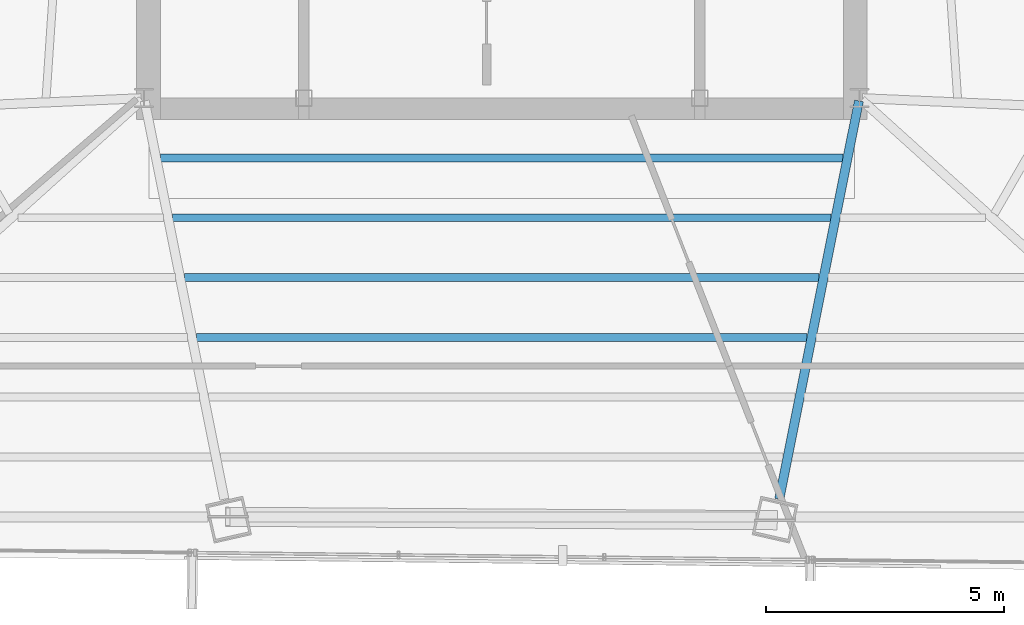
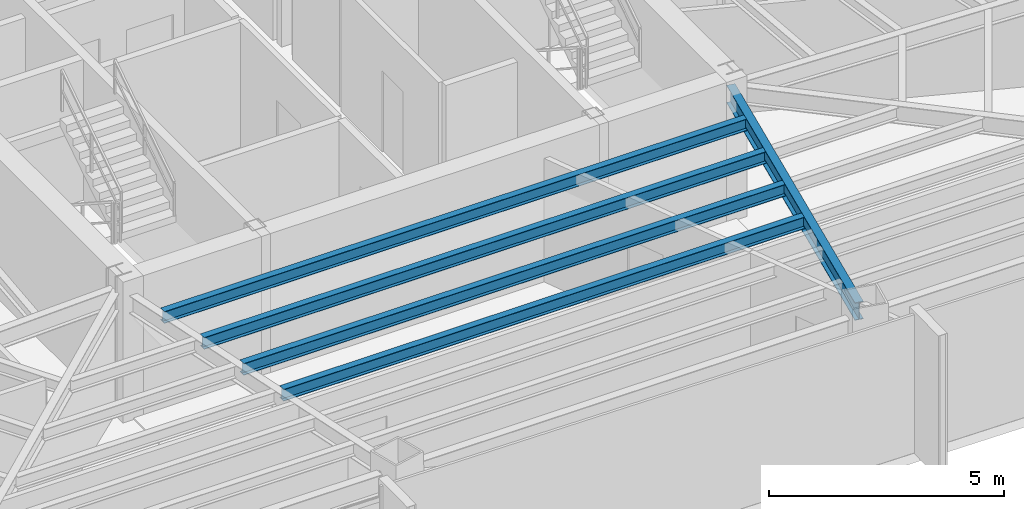
# One storey, part 11 of 40: 5 beams.
"""IFC4 building model written with IfcOpenShell, lengths in metres."""

import ifcopenshell
import ifcopenshell.guid

model = None  # the IFC model being written
_history = None  # IfcOwnerHistory: only IFC2X3 demands one
_inside = {}  # id of a spatial element -> (the spatial element, [elements in it])
_under = {}  # id of a project, library or spatial element -> (it, [spatial elements below it])
_declared = {}  # id of a project -> (the project, [libraries it declares])
_typed = {}  # id of a type object -> (the type object, [elements of that type])
_made_of = {}  # id of a material, layer set ... -> (it, [elements and type objects made of it])


def new_model(schema):
    """Start an empty IFC model of exactly this schema.

    Asked for "IFC4X3", IfcOpenShell would pick the latest addendum, in which some entities
    have other attributes; the version numbers below select the first issue.
    IFC2X3 requires an IfcOwnerHistory on every rooted entity: one is made here for all.
    """
    global model, _history
    if schema == "IFC4X3":
        model = ifcopenshell.file(schema_version=(4, 3, 0, 0))
    else:
        model = ifcopenshell.file(schema=schema)
    _inside.clear()
    _under.clear()
    _declared.clear()
    _typed.clear()
    _made_of.clear()
    _history = None
    if model.schema == "IFC2X3":
        org = make("IfcOrganization", Name="unknown")
        user = make(
            "IfcPersonAndOrganization",
            ThePerson=make("IfcPerson", FamilyName="unknown"),
            TheOrganization=org,
        )
        app = make(
            "IfcApplication",
            ApplicationDeveloper=org,
            Version="unknown",
            ApplicationFullName="unknown",
            ApplicationIdentifier="unknown",
        )
        _history = make(
            "IfcOwnerHistory",
            OwningUser=user,
            OwningApplication=app,
            ChangeAction="ADDED",
            CreationDate=0,
        )
    return model


def make(cls, **values):
    """One entity of the class cls with the attributes given. An attribute that is None is left unset."""
    return model.create_entity(
        cls, **{name: value for name, value in values.items() if value is not None}
    )


def rooted(cls, **values):
    """An entity with a GlobalId (a new one), such as an element, a storey or a relation."""
    return make(cls, GlobalId=ifcopenshell.guid.new(), OwnerHistory=_history, **values)


def si_unit(unit_type, name, prefix=None):
    """IfcSIUnit, for example si_unit("LENGTHUNIT", "METRE", prefix="MILLI")."""
    return make("IfcSIUnit", UnitType=unit_type, Prefix=prefix, Name=name)


def assignment(units):
    """IfcUnitAssignment: the units of a project."""
    return None if units is None else make("IfcUnitAssignment", Units=units)


def point(xyz):
    """IfcCartesianPoint."""
    return None if xyz is None else make("IfcCartesianPoint", Coordinates=xyz)


def direction(xyz):
    """IfcDirection."""
    return None if xyz is None else make("IfcDirection", DirectionRatios=xyz)


def frame(location, z_axis=None, x_axis=None):
    """IfcAxis2Placement3D, a coordinate frame: its origin and axes. An axis left out is left unset."""
    return make(
        "IfcAxis2Placement3D",
        Location=point(location),
        Axis=direction(z_axis),
        RefDirection=direction(x_axis),
    )


def frame_2d(location, x_axis=None):
    """IfcAxis2Placement2D, a coordinate frame in the plane: its origin and x axis."""
    return make(
        "IfcAxis2Placement2D", Location=point(location), RefDirection=direction(x_axis)
    )


def origin():
    """The frame at (0, 0, 0) with its axes left unset."""
    return frame((0.0, 0.0, 0.0))


def origin_2d():
    """The frame at (0, 0) in the plane with its x axis left unset."""
    return frame_2d((0.0, 0.0))


def place(relative_to, where):
    """IfcLocalPlacement: puts the frame where relative to a parent placement (None: the world)."""
    return make(
        "IfcLocalPlacement", PlacementRelTo=relative_to, RelativePlacement=where
    )


def context(
    kind, dimensions, precision=None, world=None, true_north=None, identifier=None
):
    """IfcGeometricRepresentationContext, for example the 3D "Model" context."""
    return make(
        "IfcGeometricRepresentationContext",
        ContextIdentifier=identifier,
        ContextType=kind,
        CoordinateSpaceDimension=dimensions,
        Precision=precision,
        WorldCoordinateSystem=world,
        TrueNorth=true_north,
    )


def subcontext(parent, identifier, kind, view, scale=None):
    """IfcGeometricRepresentationSubContext, for example "Body" below "Model"."""
    return make(
        "IfcGeometricRepresentationSubContext",
        ContextIdentifier=identifier,
        ContextType=kind,
        ParentContext=parent,
        TargetScale=scale,
        TargetView=view,
    )


def project(units=None, contexts=None):
    """IfcProject with its units and contexts."""
    return rooted(
        "IfcProject",
        Name="project",
        RepresentationContexts=contexts,
        UnitsInContext=assignment(units),
    )


def spatial(cls, under=None, at=None, **own):
    """A site, building, storey or space (cls), placed at a placement, below another one or the project."""
    s = rooted(cls, ObjectPlacement=at, **own)
    if under is not None:
        _under.setdefault(under.id(), (under, []))[1].append(s)
    return s


def profile(cls, at=None, kind="AREA", **sizes):
    """A parametric profile (cls). Its sizes go by their IFC names, for example OverallWidth=200.0."""
    return make(cls, ProfileType=kind, Position=at, **sizes)


def i_section(**sizes):
    """IfcIShapeProfileDef."""
    return profile("IfcIShapeProfileDef", **sizes)


def extrude(swept, where, along, depth):
    """IfcExtrudedAreaSolid: the profile swept, set in the frame where, extruded along a direction by depth."""
    return make(
        "IfcExtrudedAreaSolid",
        SweptArea=swept,
        Position=where,
        ExtrudedDirection=direction(along),
        Depth=depth,
    )


def shape(context_of_items, identifier, shape_type, items):
    """IfcShapeRepresentation: the items that make up one representation, for example the "Body"."""
    return make(
        "IfcShapeRepresentation",
        ContextOfItems=context_of_items,
        RepresentationIdentifier=identifier,
        RepresentationType=shape_type,
        Items=items,
    )


def source(mapping_origin, context_of_items, identifier, shape_type, items):
    """IfcRepresentationMap: a shape defined once, which mapped items show again and again."""
    return make(
        "IfcRepresentationMap",
        MappingOrigin=mapping_origin,
        MappedRepresentation=shape(context_of_items, identifier, shape_type, items),
    )


def transform(
    local_origin,
    x_axis=None,
    y_axis=None,
    z_axis=None,
    scale=None,
    scale2=None,
    scale3=None,
    uniform=True,
):
    """IfcCartesianTransformationOperator3D, or its non-uniform kind. x_axis, y_axis, z_axis: its Axis1, 2, 3."""
    if uniform:
        return make(
            "IfcCartesianTransformationOperator3D",
            Axis1=direction(x_axis),
            Axis2=direction(y_axis),
            LocalOrigin=point(local_origin),
            Scale=scale,
            Axis3=direction(z_axis),
        )
    return make(
        "IfcCartesianTransformationOperator3DnonUniform",
        Axis1=direction(x_axis),
        Axis2=direction(y_axis),
        LocalOrigin=point(local_origin),
        Scale=scale,
        Axis3=direction(z_axis),
        Scale2=scale2,
        Scale3=scale3,
    )


def mapped(mapping_source, mapping_target):
    """IfcMappedItem: shows the shape of a source again, moved by a transform."""
    return make(
        "IfcMappedItem", MappingSource=mapping_source, MappingTarget=mapping_target
    )


def material(Name=None, Category=None):
    """IfcMaterial."""
    return make("IfcMaterial", Name=Name, Category=Category)


def material_profile(
    of_material, cross_section, Name=None, Category=None, Priority=None
):
    """IfcMaterialProfile: a cross section and its material."""
    return make(
        "IfcMaterialProfile",
        Name=Name,
        Material=of_material,
        Profile=cross_section,
        Priority=Priority,
        Category=Category,
    )


def profile_set(profiles, Name=None, composite=None):
    """IfcMaterialProfileSet."""
    return make(
        "IfcMaterialProfileSet",
        Name=Name,
        MaterialProfiles=profiles,
        CompositeProfile=composite,
    )


def made_of(thing, what):
    """Note that an element or type object is made of a material, layer set ...; save() writes the relation."""
    if what is not None:
        _made_of.setdefault(what.id(), (what, []))[1].append(thing)
    return thing


def type_object(cls, material=None, **own):
    """A type object (cls), such as IfcWallType, which elements share."""
    return made_of(rooted(cls, **own), material)


def type_shapes(of_type, sources):
    """Give a type object the sources (RepresentationMaps) that its elements show as mapped items."""
    of_type.RepresentationMaps = sources


def element(
    cls,
    number,
    at=None,
    inside=None,
    cuts=None,
    type_object=None,
    material=None,
    context=None,
    identifier="Body",
    shape_type=None,
    held_by="IfcProductDefinitionShape",
    body=None,
    shapes=None,
    **own,
):
    """One element of the class cls, such as IfcWall. Its Tag is "e" and its number.

    at: its placement. inside: the storey or other place that contains it. cuts: it is an
    opening in that element (IfcRelVoidsElement). A single representation is given by context,
    identifier, shape_type and body (its items); several are given by shapes. held_by: the class
    of the entity that holds the representations. save() writes the other relations.
    """
    e = rooted(cls, Tag="e%d" % number, ObjectPlacement=at, **own)
    if body is not None:
        shapes = [shape(context, identifier, shape_type, body)]
    if shapes is not None:
        e.Representation = make(held_by, Representations=shapes)
    if inside is not None:
        _inside.setdefault(inside.id(), (inside, []))[1].append(e)
    if cuts is not None:
        rooted(
            "IfcRelVoidsElement", RelatingBuildingElement=cuts, RelatedOpeningElement=e
        )
    if type_object is not None:
        _typed.setdefault(type_object.id(), (type_object, []))[1].append(e)
    return made_of(e, material)


def aggregate(whole, parts):
    """IfcRelAggregates: a whole, such as a stair, and the parts it consists of."""
    return rooted("IfcRelAggregates", RelatingObject=whole, RelatedObjects=parts)


def save(model, path):
    """Write the relations noted so far, then the file.

    IfcRelAggregates (storeys below a building ...), IfcRelContainedInSpatialStructure (elements
    in a storey), IfcRelDefinesByType, IfcRelAssociatesMaterial and IfcRelDeclares: one each for
    every whole, place, type object, material and project.
    """
    for whole, parts in _under.values():
        aggregate(whole, parts)
    for where, things in _inside.values():
        rooted(
            "IfcRelContainedInSpatialStructure",
            RelatedElements=things,
            RelatingStructure=where,
        )
    for kind, things in _typed.values():
        rooted("IfcRelDefinesByType", RelatedObjects=things, RelatingType=kind)
    for what, things in _made_of.values():
        rooted("IfcRelAssociatesMaterial", RelatedObjects=things, RelatingMaterial=what)
    for by, libraries in _declared.values():
        rooted("IfcRelDeclares", RelatingContext=by, RelatedDefinitions=libraries)
    model.write(path)


model = new_model("IFC4")

# Units and contexts
model_context = context("Model", 3, precision=1e-05, world=origin(), true_north=direction((0.0, 1.0)))
body_context = subcontext(model_context, "Body", "Model", "MODEL_VIEW")
ifc_project = project(units=[si_unit("LENGTHUNIT", "METRE"), si_unit("AREAUNIT", "SQUARE_METRE"), si_unit("VOLUMEUNIT", "CUBIC_METRE"), si_unit("PLANEANGLEUNIT", "RADIAN"), si_unit("MASSUNIT", "GRAM", prefix="KILO")], contexts=[model_context])

# Site, building, storey
site_placement = place(None, origin())
site = spatial("IfcSite", under=ifc_project, at=site_placement, CompositionType="ELEMENT")
building_placement = place(site_placement, origin())
building = spatial("IfcBuilding", under=site, at=building_placement, Name="Caelisora Broadcast Tower", CompositionType="ELEMENT")
storey_placement = place(building_placement, frame((0.0, 0.0, 216.89990234375)))
storey = spatial("IfcBuildingStorey", under=building, at=storey_placement, Name="L57", CompositionType="ELEMENT", Elevation=216.89990234375)

# Beams
ifc_material = material(Name="Steel Grade 350 (AS/NZS 3679.1)", Category="steel")
ifc_material_profile_1 = material_profile(ifc_material, i_section(OverallWidth=0.19091796875, OverallDepth=0.46044921875, WebThickness=0.010009765625, FlangeThickness=0.01611328125, at=origin_2d()), Name="Steel Grade 350 (AS/NZS 3679.1)")
ifc_profile_set_1 = profile_set([ifc_material_profile_1], Name="Steel Grade 350 (AS/NZS 3679.1)")
beam_type_1 = type_object("IfcBeamType", Name="PG06", PredefinedType="BEAM", material=ifc_profile_set_1)
shared_shape_1 = source(origin(), body_context, "Body", "SweptSolid", [
    extrude(i_section(OverallWidth=0.19091796875, OverallDepth=0.46044921875, WebThickness=0.010009765625, FlangeThickness=0.01611328125, at=origin_2d()), origin(), (0.0, 0.0, 1.0), 8.516357421875),
])
type_shapes(beam_type_1, [shared_shape_1])
beam_1_placement = place(storey_placement, frame((45.48828125, 17.34130859375, 3.02001953125), z_axis=(-0.196198828503, -0.980564133392, 0.0), x_axis=(0.980564133392, -0.196198828503, 0.0)))
element("IfcBeam", 1, at=beam_1_placement, inside=storey, type_object=beam_type_1, Name="L57 beam PG06", PredefinedType="BEAM", context=body_context, shape_type="MappedRepresentation", body=[
    mapped(shared_shape_1, transform((0.0, 0.0, 0.0), scale=1.0)),
])
ifc_material_profile_2 = material_profile(ifc_material, i_section(OverallWidth=0.166015625, OverallDepth=0.30712890625, WebThickness=0.006591796875, FlangeThickness=0.01171875, at=origin_2d()), Name="Steel Grade 350 (AS/NZS 3679.1)")
ifc_profile_set_2 = profile_set([ifc_material_profile_2], Name="Steel Grade 350 (AS/NZS 3679.1)")
beam_type_2 = type_object("IfcBeamType", Name="SB03", PredefinedType="JOIST", material=ifc_profile_set_2)
shared_shape_2 = source(origin(), body_context, "Body", "SweptSolid", [
    extrude(i_section(OverallWidth=0.166015625, OverallDepth=0.30712890625, WebThickness=0.006591796875, FlangeThickness=0.01171875, at=origin_2d()), origin(), (0.0, 0.0, 1.0), 14.3095703125),
])
beam_2_placement = place(storey_placement, frame((30.84521484375, 16.14599609375, 3.096435546875), z_axis=(1.0, 0.0, 0.0), x_axis=(0.0, 1.0, 0.0)))
element("IfcBeam", 2, at=beam_2_placement, inside=storey, type_object=beam_type_2, Name="L57 beam SB03", PredefinedType="JOIST", context=body_context, shape_type="MappedRepresentation", body=[
    mapped(shared_shape_2, transform((0.0, 0.0, 0.0), scale=1.0)),
])
shared_shape_3 = source(origin(), body_context, "Body", "SweptSolid", [
    extrude(i_section(OverallWidth=0.166015625, OverallDepth=0.30712890625, WebThickness=0.006591796875, FlangeThickness=0.01171875, at=origin_2d()), origin(), (0.0, 0.0, 1.0), 13.8076171875),
])
beam_3_placement = place(storey_placement, frame((31.09619140625, 14.891845703125, 3.096435546875), z_axis=(1.0, 0.0, 0.0), x_axis=(0.0, 1.0, 0.0)))
element("IfcBeam", 3, at=beam_3_placement, inside=storey, type_object=beam_type_2, Name="L57 beam SB03", PredefinedType="JOIST", context=body_context, shape_type="MappedRepresentation", body=[
    mapped(shared_shape_3, transform((0.0, 0.0, 0.0), scale=1.0)),
])
shared_shape_4 = source(origin(), body_context, "Body", "SweptSolid", [
    extrude(i_section(OverallWidth=0.166015625, OverallDepth=0.30712890625, WebThickness=0.006591796875, FlangeThickness=0.01171875, at=origin_2d()), origin(), (0.0, 0.0, 1.0), 13.3056640625),
])
beam_4_placement = place(storey_placement, frame((31.34716796875, 13.637939453125, 3.096435546875), z_axis=(1.0, 0.0, 0.0), x_axis=(0.0, 1.0, 0.0)))
element("IfcBeam", 4, at=beam_4_placement, inside=storey, type_object=beam_type_2, Name="L57 beam SB03", PredefinedType="JOIST", context=body_context, shape_type="MappedRepresentation", body=[
    mapped(shared_shape_4, transform((0.0, 0.0, 0.0), scale=1.0)),
])
shared_shape_5 = source(origin(), body_context, "Body", "SweptSolid", [
    extrude(i_section(OverallWidth=0.166015625, OverallDepth=0.30712890625, WebThickness=0.006591796875, FlangeThickness=0.01171875, at=origin_2d()), origin(), (0.0, 0.0, 1.0), 12.80419921875),
])
type_shapes(beam_type_2, [shared_shape_2, shared_shape_3, shared_shape_4, shared_shape_5])
beam_5_placement = place(storey_placement, frame((31.597900390625, 12.3837890625, 3.096435546875), z_axis=(1.0, 0.0, 0.0), x_axis=(0.0, 1.0, 0.0)))
element("IfcBeam", 5, at=beam_5_placement, inside=storey, type_object=beam_type_2, Name="L57 beam SB03", PredefinedType="JOIST", context=body_context, shape_type="MappedRepresentation", body=[
    mapped(shared_shape_5, transform((0.0, 0.0, 0.0), scale=1.0)),
])

save(model, "model.ifc")
